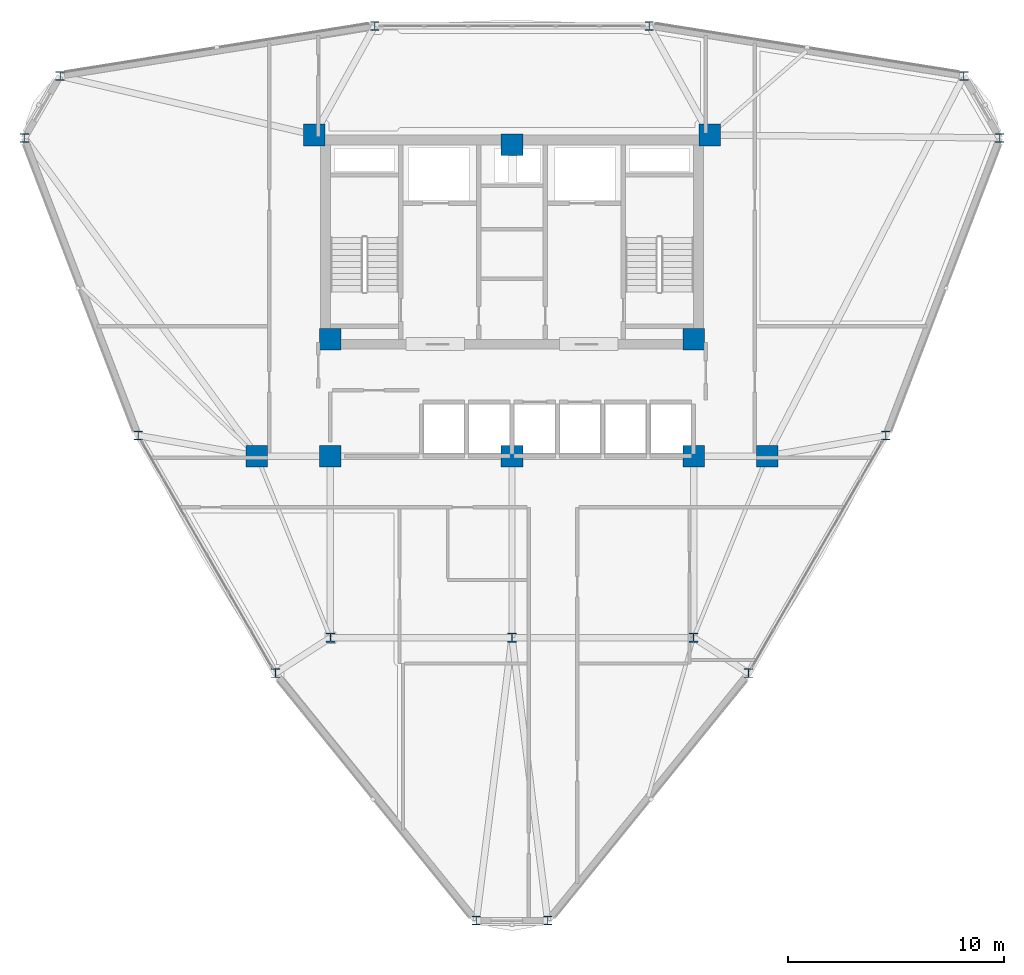
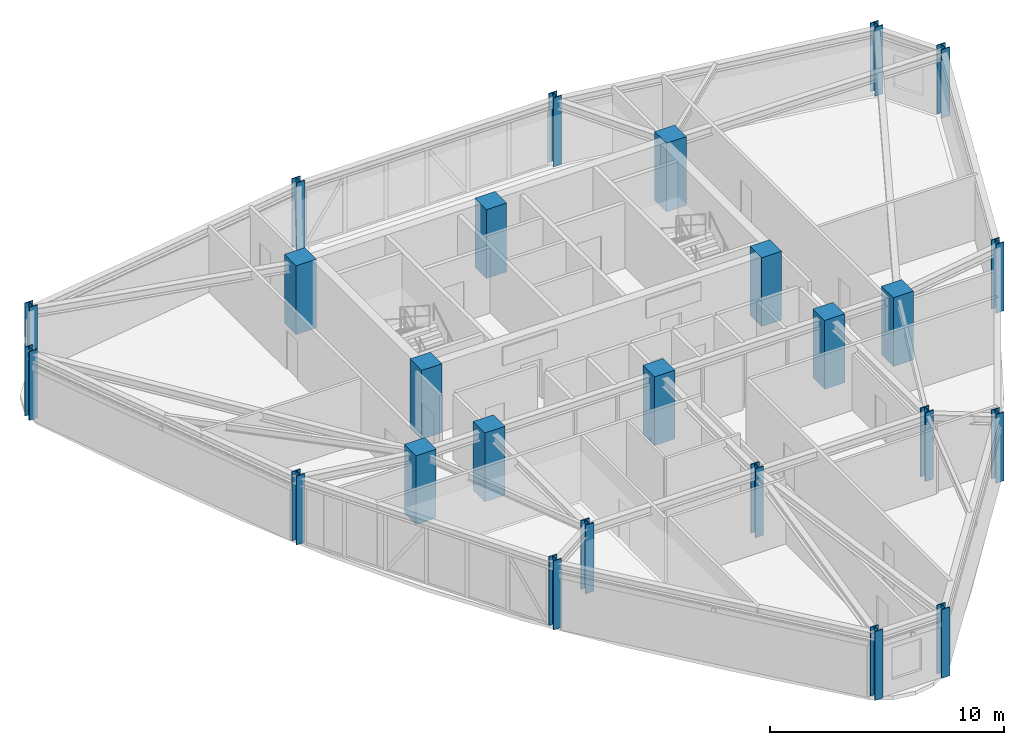
# One storey, part 1 of 14: 25 columns.
"""IFC4 building model written with IfcOpenShell, lengths in metres."""

from ifc_helpers import new_model, si_unit, derived_unit, direction, frame, origin, origin_2d, place, context, subcontext, project, spatial, rectangle, i_section, extrude, source, transform, mapped, material, material_profile, profile_set, type_object, element, save


model = new_model("IFC4")

# Units and contexts
model_context = context("Model", 3, precision=1e-05, world=origin(), true_north=direction((0.0, 1.0)))
body_context = subcontext(model_context, "Body", "Model", "MODEL_VIEW")
ifc_project = project(units=[si_unit("LENGTHUNIT", "METRE"), si_unit("AREAUNIT", "SQUARE_METRE"), si_unit("VOLUMEUNIT", "CUBIC_METRE"), si_unit("PLANEANGLEUNIT", "RADIAN"), si_unit("MASSUNIT", "GRAM", prefix="KILO"), derived_unit("THERMALTRANSMITTANCEUNIT", [(si_unit("POWERUNIT", "WATT"), 1), (si_unit("LENGTHUNIT", "METRE"), -2), (si_unit("THERMODYNAMICTEMPERATUREUNIT", "KELVIN"), -1)])], contexts=[model_context])

# Site, building, storey
site_placement = place(None, origin())
site = spatial("IfcSite", under=ifc_project, at=site_placement, CompositionType="ELEMENT")
building_placement = place(site_placement, origin())
building = spatial("IfcBuilding", under=site, at=building_placement, Name="Korsvarv Bourse and Concert Hall", CompositionType="ELEMENT")
storey_placement = place(building_placement, frame((0.0, 0.0, 172.199951171875)))
storey = spatial("IfcBuildingStorey", under=building, at=storey_placement, Name="L44", CompositionType="ELEMENT", Elevation=172.199951171875)

# Columns
ifc_material_1 = material(Name="Steel S355", Category="steel")
ifc_material_profile_1 = material_profile(ifc_material_1, i_section(OverallWidth=0.412109375, OverallDepth=0.43505859375, WebThickness=0.032958984375, FlangeThickness=0.052978515625, FilletRadius=0.014892578125, at=origin_2d()), Name="HD 400x463")
ifc_profile_set_1 = profile_set([ifc_material_profile_1], Name="Steel S355")
column_type_1 = type_object("IfcColumnType", Name="COL-HD463", PredefinedType="COLUMN", material=ifc_profile_set_1)
shared_shape_1 = source(origin(), body_context, "Body", "SweptSolid", [
    extrude(i_section(OverallWidth=0.412109375, OverallDepth=0.43505859375, WebThickness=0.032958984375, FlangeThickness=0.052978515625, FilletRadius=0.014892578125, at=origin_2d()), origin(), (0.0, 0.0, 1.0), 3.60009765625),
])
for number, where, z_axis, x_axis, name in (
    (1, (27.60009765625, 24.0, 0.0), (0.0, 0.0, 1.0), (1.0, 0.0, 0.0), "L44 column C-09"),
    (2, (44.39990234375, 24.0, 0.0), (0.0, 0.0, 1.0), (1.0, 0.0, 0.0), "L44 column C-09"),
    (3, (36.0, 24.0, 0.0), (0.0, 0.0, 1.0), (1.0, 0.0, 0.0), "L44 column C-09"),
):
    element("IfcColumn", number, at=place(storey_placement, frame(where, z_axis=z_axis, x_axis=x_axis)), inside=storey, type_object=column_type_1, Name=name, PredefinedType="COLUMN", context=body_context, shape_type="MappedRepresentation", body=[
        mapped(shared_shape_1, transform((0.0, 0.0, 0.0), scale=1.0)),
    ])
ifc_material_2 = material(Name="Concrete C55/67", Category="concrete")
ifc_material_profile_2 = material_profile(ifc_material_2, rectangle(XDim=1.0, YDim=1.0, at=origin_2d()), Name="RC 1000x1000")
ifc_profile_set_2 = profile_set([ifc_material_profile_2], Name="Concrete C55/67")
column_type_2 = type_object("IfcColumnType", Name="COL-RC1000", PredefinedType="COLUMN", material=ifc_profile_set_2)
shared_shape_2 = source(origin(), body_context, "Body", "SweptSolid", [
    extrude(rectangle(XDim=1.0, YDim=1.0, at=origin_2d()), origin(), (0.0, 0.0, 1.0), 3.60009765625),
])
for number, where, z_axis, x_axis, name in (
    (4, (26.85009765625, 47.25, 0.0), (0.0, 0.0, 1.0), (1.0, 0.0, 0.0), "L44 column C-03"),
    (5, (45.14990234375, 47.25, 0.0), (0.0, 0.0, 1.0), (1.0, 0.0, 0.0), "L44 column C-03"),
    (6, (27.60009765625, 37.800048828125, 0.0), (0.0, 0.0, 1.0), (1.0, 0.0, 0.0), "L44 column C-03"),
    (7, (44.39990234375, 37.800048828125, 0.0), (0.0, 0.0, 1.0), (1.0, 0.0, 0.0), "L44 column C-03"),
    (8, (27.60009765625, 32.39990234375, 0.0), (0.0, 0.0, 1.0), (1.0, 0.0, 0.0), "L44 column C-03"),
    (9, (44.39990234375, 32.39990234375, 0.0), (0.0, 0.0, 1.0), (1.0, 0.0, 0.0), "L44 column C-03"),
    (10, (36.0, 46.800048828125, 0.0), (0.0, 0.0, 1.0), (1.0, 0.0, 0.0), "L44 column C-03"),
    (11, (36.0, 32.39990234375, 0.0), (0.0, 0.0, 1.0), (1.0, 0.0, 0.0), "L44 column C-03"),
    (12, (24.199951171875, 32.39990234375, 0.0), (0.0, 0.0, 1.0), (1.0, 0.0, 0.0), "L44 column C-03"),
    (13, (47.800048828125, 32.39990234375, 0.0), (0.0, 0.0, 1.0), (1.0, 0.0, 0.0), "L44 column C-03"),
):
    element("IfcColumn", number, at=place(storey_placement, frame(where, z_axis=z_axis, x_axis=x_axis)), inside=storey, type_object=column_type_2, Name=name, PredefinedType="COLUMN", context=body_context, shape_type="MappedRepresentation", body=[
        mapped(shared_shape_2, transform((0.0, 0.0, 0.0), scale=1.0)),
    ])
ifc_material_profile_3 = material_profile(ifc_material_1, i_section(OverallWidth=0.406005859375, OverallDepth=0.416015625, WebThickness=0.027099609375, FlangeThickness=0.0439453125, FilletRadius=0.014892578125, at=origin_2d()), Name="HD 400x382")
ifc_profile_set_3 = profile_set([ifc_material_profile_3], Name="Steel S355")
column_type_3 = type_object("IfcColumnType", Name="COL-HD382", PredefinedType="COLUMN", material=ifc_profile_set_3)
shared_shape_3 = source(origin(), body_context, "Body", "SweptSolid", [
    extrude(i_section(OverallWidth=0.406005859375, OverallDepth=0.416015625, WebThickness=0.027099609375, FlangeThickness=0.0439453125, FilletRadius=0.014892578125, at=origin_2d()), origin(), (0.0, 0.0, 1.0), 3.60009765625),
])
for number, where, z_axis, x_axis, name in (
    (14, (58.553955078125, 47.114501953125, 0.0), (0.0, 0.0, 1.0), (1.0, 0.0, 0.0), "L44 column C-10"),
    (15, (56.90234375, 49.97509765625, 0.0), (0.0, 0.0, 1.0), (1.0, 0.0, 0.0), "L44 column C-10"),
    (16, (42.345947265625, 52.2958984375, 0.0), (0.0, 0.0, 1.0), (1.0, 0.0, 0.0), "L44 column C-10"),
    (17, (29.654052734375, 52.2958984375, 0.0), (0.0, 0.0, 1.0), (1.0, 0.0, 0.0), "L44 column C-10"),
    (18, (15.09765625, 49.97509765625, 0.0), (0.0, 0.0, 1.0), (1.0, 0.0, 0.0), "L44 column C-10"),
    (19, (13.446044921875, 47.114501953125, 0.0), (0.0, 0.0, 1.0), (1.0, 0.0, 0.0), "L44 column C-10"),
    (20, (18.71435546875, 33.347900390625, 0.0), (0.0, 0.0, 1.0), (1.0, 0.0, 0.0), "L44 column C-10"),
    (21, (25.060302734375, 22.356201171875, 0.0), (0.0, 0.0, 1.0), (1.0, 0.0, 0.0), "L44 column C-10"),
    (22, (34.348388671875, 10.91064453125, 0.0), (0.0, 0.0, 1.0), (1.0, 0.0, 0.0), "L44 column C-10"),
    (23, (37.651611328125, 10.91064453125, 0.0), (0.0, 0.0, 1.0), (1.0, 0.0, 0.0), "L44 column C-10"),
    (24, (46.939697265625, 22.356201171875, 0.0), (0.0, 0.0, 1.0), (1.0, 0.0, 0.0), "L44 column C-10"),
    (25, (53.28564453125, 33.347900390625, 0.0), (0.0, 0.0, 1.0), (1.0, 0.0, 0.0), "L44 column C-10"),
):
    element("IfcColumn", number, at=place(storey_placement, frame(where, z_axis=z_axis, x_axis=x_axis)), inside=storey, type_object=column_type_3, Name=name, PredefinedType="COLUMN", context=body_context, shape_type="MappedRepresentation", body=[
        mapped(shared_shape_3, transform((0.0, 0.0, 0.0), scale=1.0)),
    ])

save(model, "model.ifc")
